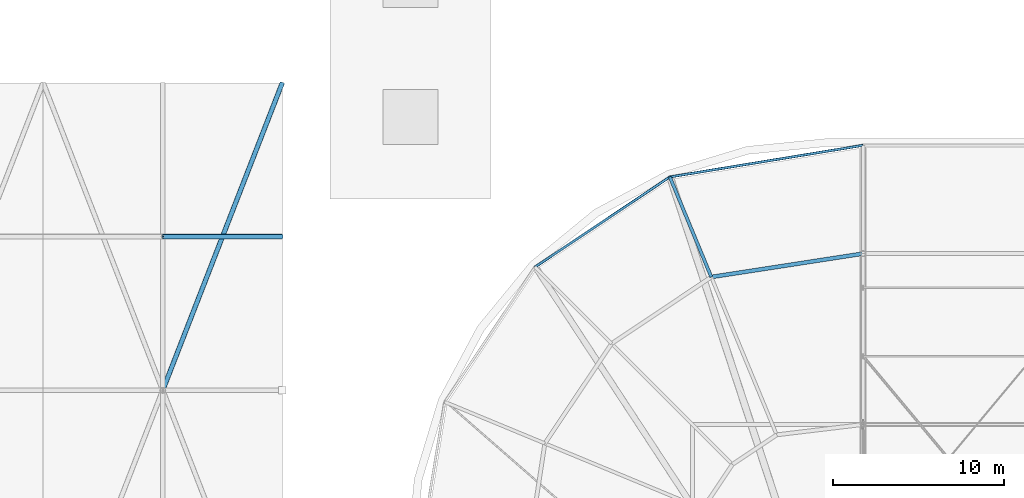
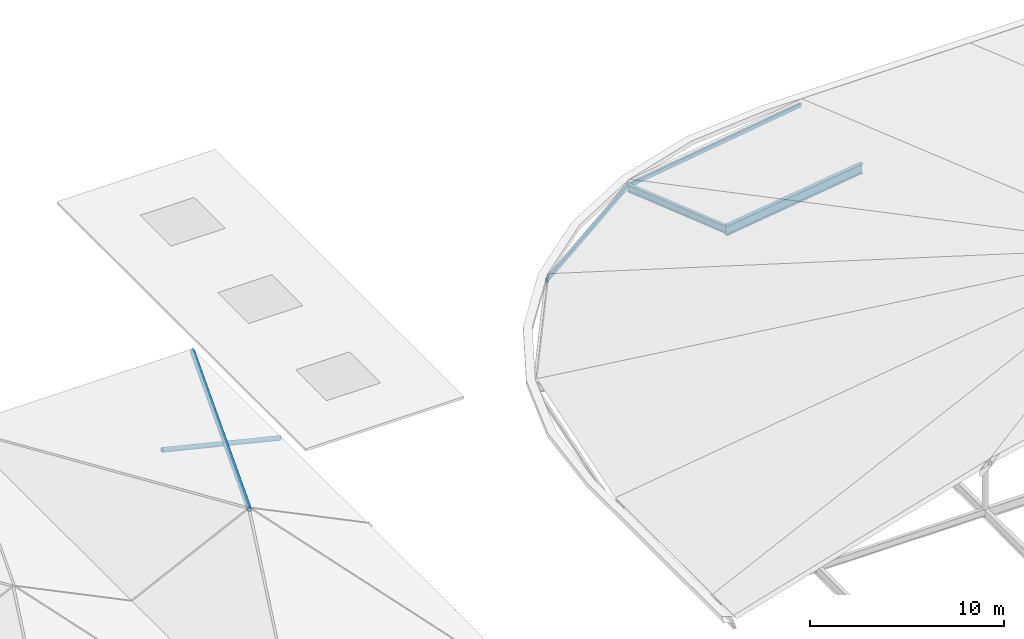
# One storey, part 51 of 93: 4 beams, 2 members.
"""IFC4 building model written with IfcOpenShell, lengths in metres."""

import ifcopenshell
import ifcopenshell.guid

model = None  # the IFC model being written
_history = None  # IfcOwnerHistory: only IFC2X3 demands one
_inside = {}  # id of a spatial element -> (the spatial element, [elements in it])
_under = {}  # id of a project, library or spatial element -> (it, [spatial elements below it])
_declared = {}  # id of a project -> (the project, [libraries it declares])
_typed = {}  # id of a type object -> (the type object, [elements of that type])
_made_of = {}  # id of a material, layer set ... -> (it, [elements and type objects made of it])


def new_model(schema):
    """Start an empty IFC model of exactly this schema.

    Asked for "IFC4X3", IfcOpenShell would pick the latest addendum, in which some entities
    have other attributes; the version numbers below select the first issue.
    IFC2X3 requires an IfcOwnerHistory on every rooted entity: one is made here for all.
    """
    global model, _history
    if schema == "IFC4X3":
        model = ifcopenshell.file(schema_version=(4, 3, 0, 0))
    else:
        model = ifcopenshell.file(schema=schema)
    _inside.clear()
    _under.clear()
    _declared.clear()
    _typed.clear()
    _made_of.clear()
    _history = None
    if model.schema == "IFC2X3":
        org = make("IfcOrganization", Name="unknown")
        user = make(
            "IfcPersonAndOrganization",
            ThePerson=make("IfcPerson", FamilyName="unknown"),
            TheOrganization=org,
        )
        app = make(
            "IfcApplication",
            ApplicationDeveloper=org,
            Version="unknown",
            ApplicationFullName="unknown",
            ApplicationIdentifier="unknown",
        )
        _history = make(
            "IfcOwnerHistory",
            OwningUser=user,
            OwningApplication=app,
            ChangeAction="ADDED",
            CreationDate=0,
        )
    return model


def make(cls, **values):
    """One entity of the class cls with the attributes given. An attribute that is None is left unset."""
    return model.create_entity(
        cls, **{name: value for name, value in values.items() if value is not None}
    )


def rooted(cls, **values):
    """An entity with a GlobalId (a new one), such as an element, a storey or a relation."""
    return make(cls, GlobalId=ifcopenshell.guid.new(), OwnerHistory=_history, **values)


def si_unit(unit_type, name, prefix=None):
    """IfcSIUnit, for example si_unit("LENGTHUNIT", "METRE", prefix="MILLI")."""
    return make("IfcSIUnit", UnitType=unit_type, Prefix=prefix, Name=name)


def derived_unit(unit_type, elements):
    """IfcDerivedUnit: a product of units, each with its exponent."""
    return make(
        "IfcDerivedUnit",
        Elements=[
            make("IfcDerivedUnitElement", Unit=unit, Exponent=power)
            for unit, power in elements
        ],
        UnitType=unit_type,
    )


def assignment(units):
    """IfcUnitAssignment: the units of a project."""
    return None if units is None else make("IfcUnitAssignment", Units=units)


def point(xyz):
    """IfcCartesianPoint."""
    return None if xyz is None else make("IfcCartesianPoint", Coordinates=xyz)


def direction(xyz):
    """IfcDirection."""
    return None if xyz is None else make("IfcDirection", DirectionRatios=xyz)


def frame(location, z_axis=None, x_axis=None):
    """IfcAxis2Placement3D, a coordinate frame: its origin and axes. An axis left out is left unset."""
    return make(
        "IfcAxis2Placement3D",
        Location=point(location),
        Axis=direction(z_axis),
        RefDirection=direction(x_axis),
    )


def frame_2d(location, x_axis=None):
    """IfcAxis2Placement2D, a coordinate frame in the plane: its origin and x axis."""
    return make(
        "IfcAxis2Placement2D", Location=point(location), RefDirection=direction(x_axis)
    )


def origin():
    """The frame at (0, 0, 0) with its axes left unset."""
    return frame((0.0, 0.0, 0.0))


def origin_2d_with_axis():
    """The frame at (0, 0) in the plane with the x axis (1, 0) written out."""
    return frame_2d((0.0, 0.0), x_axis=(1.0, 0.0))


def place(relative_to, where):
    """IfcLocalPlacement: puts the frame where relative to a parent placement (None: the world)."""
    return make(
        "IfcLocalPlacement", PlacementRelTo=relative_to, RelativePlacement=where
    )


def context(
    kind, dimensions, precision=None, world=None, true_north=None, identifier=None
):
    """IfcGeometricRepresentationContext, for example the 3D "Model" context."""
    return make(
        "IfcGeometricRepresentationContext",
        ContextIdentifier=identifier,
        ContextType=kind,
        CoordinateSpaceDimension=dimensions,
        Precision=precision,
        WorldCoordinateSystem=world,
        TrueNorth=true_north,
    )


def subcontext(parent, identifier, kind, view, scale=None):
    """IfcGeometricRepresentationSubContext, for example "Body" below "Model"."""
    return make(
        "IfcGeometricRepresentationSubContext",
        ContextIdentifier=identifier,
        ContextType=kind,
        ParentContext=parent,
        TargetScale=scale,
        TargetView=view,
    )


def project(units=None, contexts=None):
    """IfcProject with its units and contexts."""
    return rooted(
        "IfcProject",
        Name="project",
        RepresentationContexts=contexts,
        UnitsInContext=assignment(units),
    )


def spatial(cls, under=None, at=None, **own):
    """A site, building, storey or space (cls), placed at a placement, below another one or the project."""
    s = rooted(cls, ObjectPlacement=at, **own)
    if under is not None:
        _under.setdefault(under.id(), (under, []))[1].append(s)
    return s


def profile(cls, at=None, kind="AREA", **sizes):
    """A parametric profile (cls). Its sizes go by their IFC names, for example OverallWidth=200.0."""
    return make(cls, ProfileType=kind, Position=at, **sizes)


def hollow_rectangle(**sizes):
    """IfcRectangleHollowProfileDef."""
    return profile("IfcRectangleHollowProfileDef", **sizes)


def hollow_circle(**sizes):
    """IfcCircleHollowProfileDef."""
    return profile("IfcCircleHollowProfileDef", **sizes)


def i_section(**sizes):
    """IfcIShapeProfileDef."""
    return profile("IfcIShapeProfileDef", **sizes)


def extrude(swept, where, along, depth):
    """IfcExtrudedAreaSolid: the profile swept, set in the frame where, extruded along a direction by depth."""
    return make(
        "IfcExtrudedAreaSolid",
        SweptArea=swept,
        Position=where,
        ExtrudedDirection=direction(along),
        Depth=depth,
    )


def shape(context_of_items, identifier, shape_type, items):
    """IfcShapeRepresentation: the items that make up one representation, for example the "Body"."""
    return make(
        "IfcShapeRepresentation",
        ContextOfItems=context_of_items,
        RepresentationIdentifier=identifier,
        RepresentationType=shape_type,
        Items=items,
    )


def material(Name=None, Category=None):
    """IfcMaterial."""
    return make("IfcMaterial", Name=Name, Category=Category)


def material_profile(
    of_material, cross_section, Name=None, Category=None, Priority=None
):
    """IfcMaterialProfile: a cross section and its material."""
    return make(
        "IfcMaterialProfile",
        Name=Name,
        Material=of_material,
        Profile=cross_section,
        Priority=Priority,
        Category=Category,
    )


def profile_set(profiles, Name=None, composite=None):
    """IfcMaterialProfileSet."""
    return make(
        "IfcMaterialProfileSet",
        Name=Name,
        MaterialProfiles=profiles,
        CompositeProfile=composite,
    )


def made_of(thing, what):
    """Note that an element or type object is made of a material, layer set ...; save() writes the relation."""
    if what is not None:
        _made_of.setdefault(what.id(), (what, []))[1].append(thing)
    return thing


def type_object(cls, material=None, **own):
    """A type object (cls), such as IfcWallType, which elements share."""
    return made_of(rooted(cls, **own), material)


def element(
    cls,
    number,
    at=None,
    inside=None,
    cuts=None,
    type_object=None,
    material=None,
    context=None,
    identifier="Body",
    shape_type=None,
    held_by="IfcProductDefinitionShape",
    body=None,
    shapes=None,
    **own,
):
    """One element of the class cls, such as IfcWall. Its Tag is "e" and its number.

    at: its placement. inside: the storey or other place that contains it. cuts: it is an
    opening in that element (IfcRelVoidsElement). A single representation is given by context,
    identifier, shape_type and body (its items); several are given by shapes. held_by: the class
    of the entity that holds the representations. save() writes the other relations.
    """
    e = rooted(cls, Tag="e%d" % number, ObjectPlacement=at, **own)
    if body is not None:
        shapes = [shape(context, identifier, shape_type, body)]
    if shapes is not None:
        e.Representation = make(held_by, Representations=shapes)
    if inside is not None:
        _inside.setdefault(inside.id(), (inside, []))[1].append(e)
    if cuts is not None:
        rooted(
            "IfcRelVoidsElement", RelatingBuildingElement=cuts, RelatedOpeningElement=e
        )
    if type_object is not None:
        _typed.setdefault(type_object.id(), (type_object, []))[1].append(e)
    return made_of(e, material)


def aggregate(whole, parts):
    """IfcRelAggregates: a whole, such as a stair, and the parts it consists of."""
    return rooted("IfcRelAggregates", RelatingObject=whole, RelatedObjects=parts)


def save(model, path):
    """Write the relations noted so far, then the file.

    IfcRelAggregates (storeys below a building ...), IfcRelContainedInSpatialStructure (elements
    in a storey), IfcRelDefinesByType, IfcRelAssociatesMaterial and IfcRelDeclares: one each for
    every whole, place, type object, material and project.
    """
    for whole, parts in _under.values():
        aggregate(whole, parts)
    for where, things in _inside.values():
        rooted(
            "IfcRelContainedInSpatialStructure",
            RelatedElements=things,
            RelatingStructure=where,
        )
    for kind, things in _typed.values():
        rooted("IfcRelDefinesByType", RelatedObjects=things, RelatingType=kind)
    for what, things in _made_of.values():
        rooted("IfcRelAssociatesMaterial", RelatedObjects=things, RelatingMaterial=what)
    for by, libraries in _declared.values():
        rooted("IfcRelDeclares", RelatingContext=by, RelatedDefinitions=libraries)
    model.write(path)


model = new_model("IFC4")

# Units and contexts
model_context = context("Model", 3, precision=1e-05, world=origin(), true_north=direction((0.0, 1.0)))
body_context = subcontext(model_context, "Body", "Model", "MODEL_VIEW")
ifc_project = project(units=[si_unit("LENGTHUNIT", "METRE"), si_unit("AREAUNIT", "SQUARE_METRE"), si_unit("VOLUMEUNIT", "CUBIC_METRE"), si_unit("PLANEANGLEUNIT", "RADIAN"), si_unit("MASSUNIT", "GRAM", prefix="KILO"), derived_unit("THERMALTRANSMITTANCEUNIT", [(si_unit("POWERUNIT", "WATT"), 1), (si_unit("LENGTHUNIT", "METRE"), -2), (si_unit("THERMODYNAMICTEMPERATUREUNIT", "KELVIN"), -1)])], contexts=[model_context])

# Site, building, storey
site_placement = place(None, origin())
site = spatial("IfcSite", under=ifc_project, at=site_placement, CompositionType="ELEMENT")
building_placement = place(site_placement, origin())
building = spatial("IfcBuilding", under=site, at=building_placement, Name="Cinnabar Yard Market Hall", CompositionType="ELEMENT")
storey_placement = place(building_placement, frame((0.0, 0.0, 23.800048828125)))
storey = spatial("IfcBuildingStorey", under=building, at=storey_placement, Name="ROOF", CompositionType="ELEMENT", Elevation=23.800048828125)

# Beams
ifc_material_1 = material(Name="Steel Grade 350 (350 MPa)", Category="steel")
ifc_material_profile_1 = material_profile(ifc_material_1, i_section(OverallWidth=0.22900390625, OverallDepth=0.611572265625, WebThickness=0.011962890625, FlangeThickness=0.01953125, FilletRadius=0.013916015625, at=origin_2d_with_axis()), Name="610UB125")
ifc_profile_set_1 = profile_set([ifc_material_profile_1], Name="Steel Grade 350 (350 MPa)")
beam_type_1 = type_object("IfcBeamType", Name="BM-B01E", PredefinedType="BEAM", material=ifc_profile_set_1)
beam_1_placement = place(storey_placement, frame((86.0, 74.0, -9.705810546875), z_axis=(-0.988326460719, -0.152350933845, 0.0), x_axis=(0.152350933845, -0.988326460719, 0.0)))
element("IfcBeam", 1, at=beam_1_placement, inside=storey, type_object=beam_type_1, Name="Outer Corner Ring NW 00503", PredefinedType="BEAM", context=body_context, shape_type="SweptSolid", body=[
    extrude(i_section(OverallWidth=0.22900390625, OverallDepth=0.611572265625, WebThickness=0.011962890625, FlangeThickness=0.01953125, FilletRadius=0.013916015625, at=origin_2d_with_axis()), origin(), (0.0, 0.0, 1.0), 8.9931640625),
])
ifc_material_2 = material(Name="Steel Grade 300 (300 MPa)", Category="steel")
ifc_material_profile_2 = material_profile(ifc_material_2, i_section(OverallWidth=0.19091796875, OverallDepth=0.46044921875, WebThickness=0.010009765625, FlangeThickness=0.01611328125, FilletRadius=0.011474609375, at=origin_2d_with_axis()), Name="460UB82.1")
ifc_profile_set_2 = profile_set([ifc_material_profile_2], Name="Steel Grade 300 (300 MPa)")
beam_type_2 = type_object("IfcBeamType", Name="BM-RF02E", PredefinedType="BEAM", material=ifc_profile_set_2)
beam_2_placement = place(storey_placement, frame((77.11181640625, 72.6298828125, -9.630126953125), z_axis=(-0.382659096931, 0.923803285729, -0.012629521412), x_axis=(-0.923876970079, -0.382689618566, 0.0)))
element("IfcBeam", 2, at=beam_2_placement, inside=storey, type_object=beam_type_2, Name="Corner Chhajja Cantilever NW-2 00515", PredefinedType="BEAM", context=body_context, shape_type="SweptSolid", body=[
    extrude(i_section(OverallWidth=0.19091796875, OverallDepth=0.46044921875, WebThickness=0.010009765625, FlangeThickness=0.01611328125, FilletRadius=0.011474609375, at=origin_2d_with_axis()), origin(), (0.0, 0.0, 1.0), 6.340576171875),
])
ifc_material_3 = material(Name="Cold-formed steel C350L0", Category="steel")
ifc_material_profile_3 = material_profile(ifc_material_3, hollow_rectangle(XDim=0.14990234375, YDim=0.25, WallThickness=0.009033203125, InnerFilletRadius=0.009033203125, OuterFilletRadius=0.01806640625, at=origin_2d_with_axis()), Name="250x150x9.0RHS")
ifc_profile_set_3 = profile_set([ifc_material_profile_3], Name="Cold-formed steel C350L0")
beam_type_3 = type_object("IfcBeamType", Name="BM-SP01E", PredefinedType="SPANDREL", material=ifc_profile_set_3)
beam_3_placement = place(storey_placement, frame((86.0, 80.340087890625, -9.60498046875), z_axis=(-0.986856127469, -0.161601310879, 0.0), x_axis=(0.161601310879, -0.986856127469, 0.0)))
element("IfcBeam", 3, at=beam_3_placement, inside=storey, type_object=beam_type_3, Name="Eave Fascia Ring NW 00504", PredefinedType="SPANDREL", context=body_context, shape_type="SweptSolid", body=[
    extrude(hollow_rectangle(XDim=0.14990234375, YDim=0.25, WallThickness=0.009033203125, InnerFilletRadius=0.009033203125, OuterFilletRadius=0.01806640625, at=origin_2d_with_axis()), origin(), (0.0, 0.0, 1.0), 11.465087890625),
])
beam_4_placement = place(storey_placement, frame((74.685546875, 78.4873046875, -9.60498046875), z_axis=(-0.831464504392, -0.555577877471, 0.0), x_axis=(0.555577877471, -0.831464504392, 0.0)))
element("IfcBeam", 4, at=beam_4_placement, inside=storey, type_object=beam_type_3, Name="Eave Fascia Ring NW 00507", PredefinedType="SPANDREL", context=body_context, shape_type="SweptSolid", body=[
    extrude(hollow_rectangle(XDim=0.14990234375, YDim=0.25, WallThickness=0.009033203125, InnerFilletRadius=0.009033203125, OuterFilletRadius=0.01806640625, at=origin_2d_with_axis()), origin(), (0.0, 0.0, 1.0), 9.4970703125),
])

# Members
ifc_material_profile_4 = material_profile(ifc_material_3, hollow_circle(Radius=0.136474609375, WallThickness=0.00927734375, at=origin_2d_with_axis()), Name="273.1x9.3CHS")
ifc_profile_set_4 = profile_set([ifc_material_profile_4], Name="Cold-formed steel C350L0")
member_type = type_object("IfcMemberType", Name="MB-TC02", PredefinedType="CHORD", material=ifc_profile_set_4)
member_1_placement = place(storey_placement, frame((52.0, 84.0, -15.400146484375), z_axis=(-0.356956605479, -0.917888414088, 0.173386392456), x_axis=(0.932004671541, -0.362446261155, 0.0)))
element("IfcMember", 5, at=member_1_placement, inside=storey, type_object=member_type, Name="Chhatri Hip Rafter CH3-3", PredefinedType="CHORD", context=body_context, shape_type="SweptSolid", body=[
    extrude(hollow_circle(Radius=0.136474609375, WallThickness=0.00927734375, at=origin_2d_with_axis()), origin(), (0.0, 0.0, 1.0), 19.610107421875),
])
member_2_placement = place(storey_placement, frame((45.0, 75.0, -13.699951171875), z_axis=(0.971747485636, 0.0, -0.23602293143), x_axis=(0.0, 1.0, 0.0)))
element("IfcMember", 6, at=member_2_placement, inside=storey, type_object=member_type, Name="Chhatri Rafter CH3-75B", PredefinedType="CHORD", context=body_context, shape_type="SweptSolid", body=[
    extrude(hollow_circle(Radius=0.136474609375, WallThickness=0.00927734375, at=origin_2d_with_axis()), origin(), (0.0, 0.0, 1.0), 7.20361328125),
])

save(model, "model.ifc")
